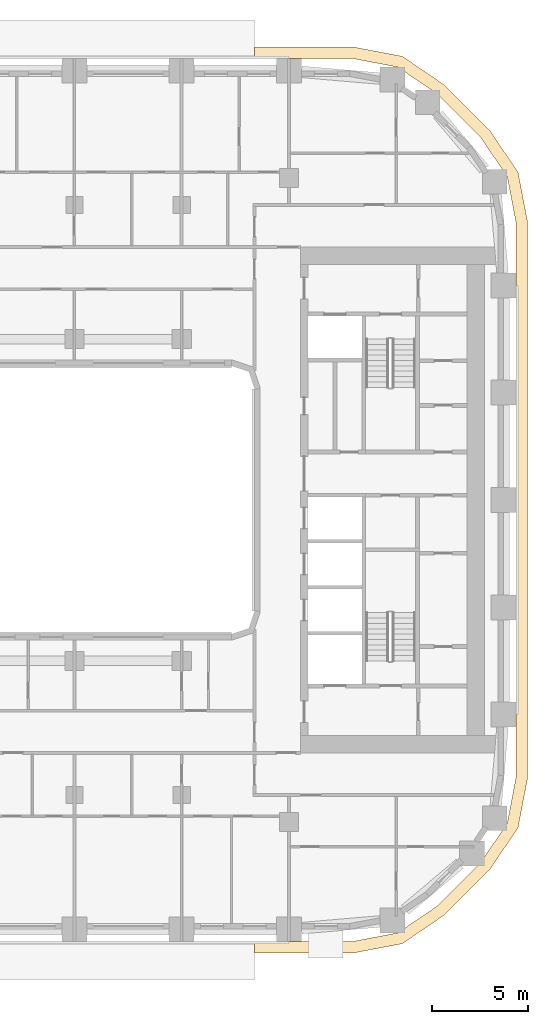
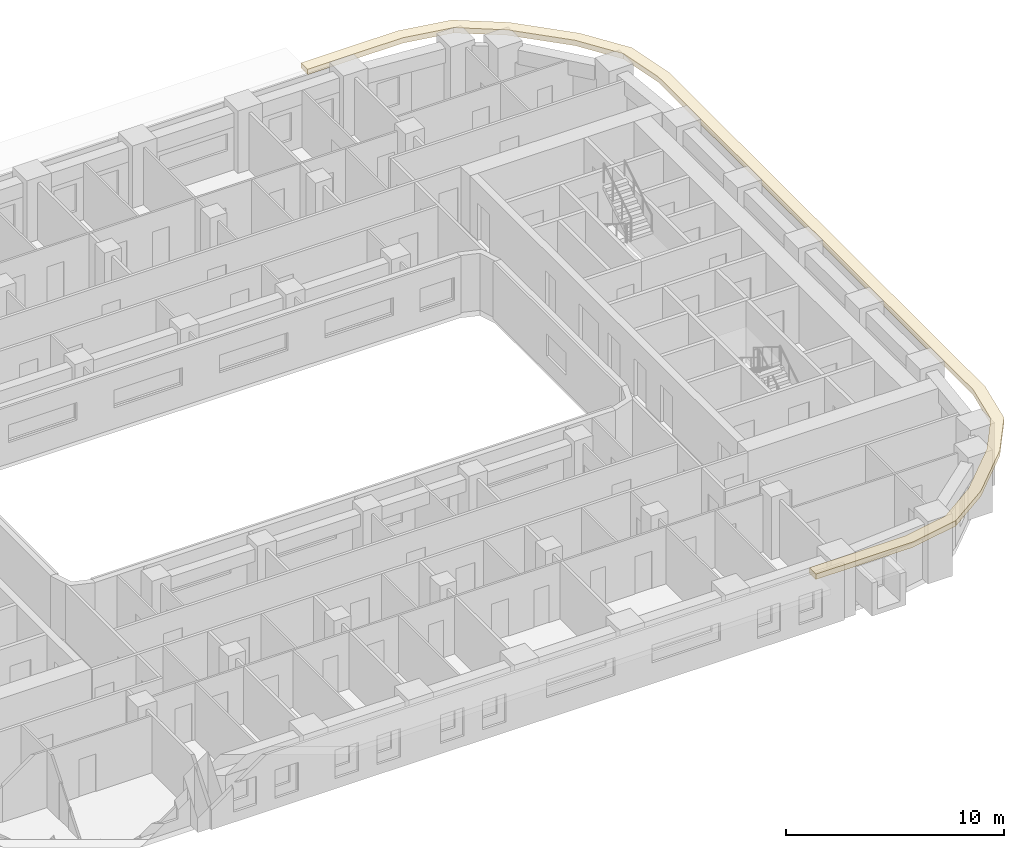
# One storey, part 19 of 23: 1 covering.
"""IFC4 building model written with IfcOpenShell, lengths in metres."""

from ifc_helpers import new_model, si_unit, direction, frame, origin, place, context, subcontext, project, spatial, polyline, outline, extrude, material, layer, layer_set, type_object, element, save


model = new_model("IFC4")

# Units and contexts
model_context = context("Model", 3, precision=1e-05, world=origin(), true_north=direction((0.0, 1.0)))
body_context = subcontext(model_context, "Body", "Model", "MODEL_VIEW")
ifc_project = project(units=[si_unit("LENGTHUNIT", "METRE"), si_unit("AREAUNIT", "SQUARE_METRE"), si_unit("VOLUMEUNIT", "CUBIC_METRE"), si_unit("PLANEANGLEUNIT", "RADIAN"), si_unit("MASSUNIT", "GRAM", prefix="KILO")], contexts=[model_context])

# Site, building, storey
site_placement = place(None, origin())
site = spatial("IfcSite", under=ifc_project, at=site_placement, CompositionType="ELEMENT")
building_placement = place(site_placement, origin())
building = spatial("IfcBuilding", under=site, at=building_placement, Name="Kiln Ring Residences", CompositionType="ELEMENT")
storey_placement = place(building_placement, frame((0.0, 0.0, 86.800048828125)))
storey = spatial("IfcBuildingStorey", under=building, at=storey_placement, Name="L21", CompositionType="ELEMENT", Elevation=86.800048828125)

# Covering
ifc_material = material(Name="Black powder-coated steel", Category="steel")
ifc_layer = layer(ifc_material, 0.300048828125)
ifc_layer_set = layer_set([ifc_layer], Name="SUNSHADE FIN 600")
covering_type = type_object("IfcCoveringType", Name="SUNSHADE FIN 600", PredefinedType="CLADDING", material=ifc_layer_set)
covering_placement = place(storey_placement, frame((0.0, 0.0, 3.199951171875)))
element("IfcCovering", 1, at=covering_placement, inside=storey, type_object=covering_type, Name="SUNSHADE FIN L21", PredefinedType="CLADDING", context=body_context, shape_type="SweptSolid", body=[
    extrude(outline(polyline([(20.1181640625, 23.64990234375), (15.0, 23.64990234375), (15.0, 23.050048828125), (20.061279296875, 23.050048828125), (22.478271484375, 22.589111328125), (24.51318359375, 21.2060546875), (26.805908203125, 18.9130859375), (28.18896484375, 16.87841796875), (28.64990234375, 14.46142578125), (28.64990234375, -14.46142578125), (28.18896484375, -16.87841796875), (26.805908203125, -18.9130859375), (24.51318359375, -21.2060546875), (22.478271484375, -22.589111328125), (20.061279296875, -23.050048828125), (15.0, -23.050048828125), (15.0, -23.64990234375), (20.1181640625, -23.64990234375), (22.712890625, -23.155029296875), (24.8974609375, -21.67041015625), (27.2705078125, -19.29736328125), (28.755126953125, -17.11279296875), (29.25, -14.51806640625), (29.25, 14.51806640625), (28.755126953125, 17.11279296875), (27.2705078125, 19.29736328125), (24.8974609375, 21.67041015625), (22.712890625, 23.155029296875), (20.1181640625, 23.64990234375)])), origin(), (0.0, 0.0, 1.0), 0.300048828125),
])

save(model, "model.ifc")
